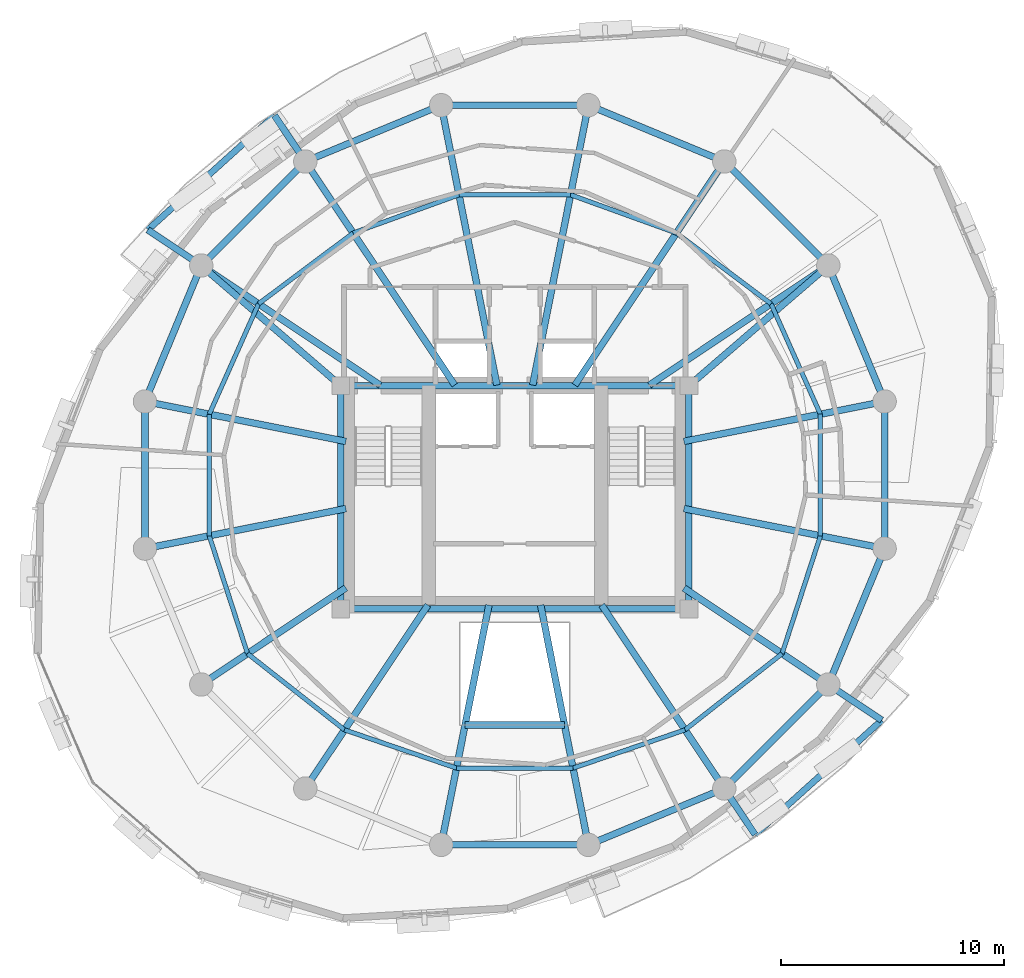
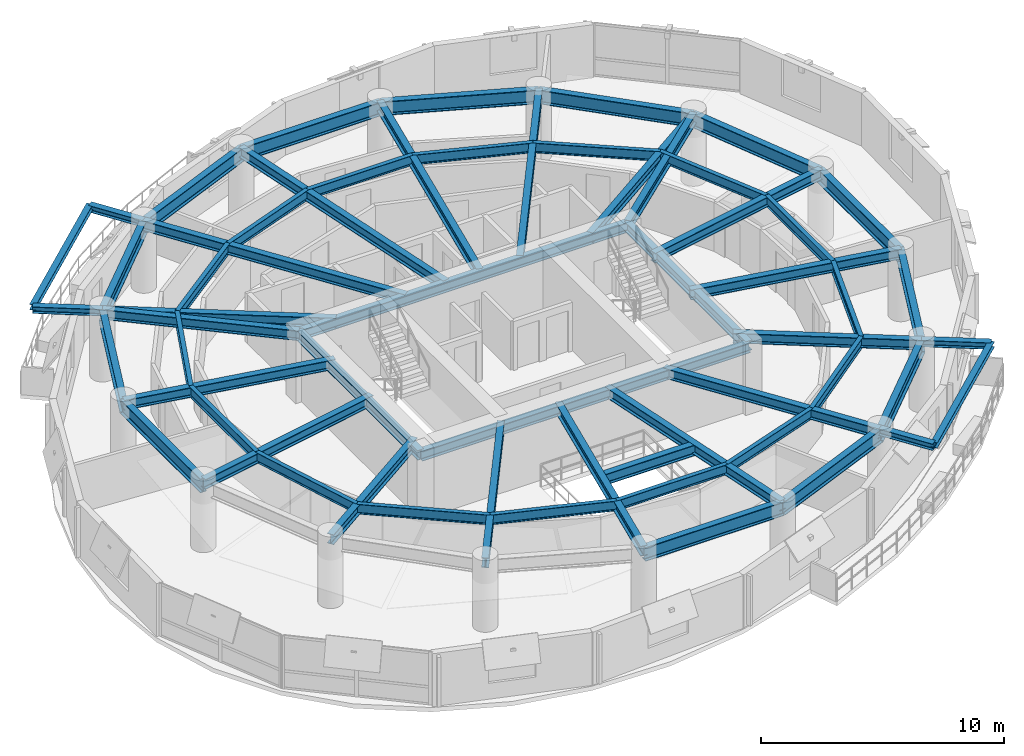
# One storey, part 5 of 12: 58 beams.
"""IFC4 building model written with IfcOpenShell, lengths in metres."""

from ifc_helpers import new_model, si_unit, direction, frame, origin, origin_2d, place, context, subcontext, project, spatial, i_section, extrude, material, material_profile, profile_set, type_object, element, save


model = new_model("IFC4")

# Units and contexts
model_context = context("Model", 3, precision=1e-05, world=origin(), true_north=direction((0.0, 1.0)))
body_context = subcontext(model_context, "Body", "Model", "MODEL_VIEW")
ifc_project = project(units=[si_unit("LENGTHUNIT", "METRE"), si_unit("AREAUNIT", "SQUARE_METRE"), si_unit("VOLUMEUNIT", "CUBIC_METRE"), si_unit("PLANEANGLEUNIT", "RADIAN"), si_unit("MASSUNIT", "GRAM", prefix="KILO"), si_unit("THERMODYNAMICTEMPERATUREUNIT", "KELVIN"), si_unit("POWERUNIT", "WATT")], contexts=[model_context])

# Site, building, storey
site_placement = place(None, origin())
site = spatial("IfcSite", under=ifc_project, at=site_placement, CompositionType="ELEMENT")
building_placement = place(site_placement, origin())
building = spatial("IfcBuilding", under=site, at=building_placement, Name="Ocrelia Relay Tower", CompositionType="ELEMENT")
storey_placement = place(building_placement, frame((0.0, 0.0, 184.39990234375)))
storey = spatial("IfcBuildingStorey", under=building, at=storey_placement, Name="L44", CompositionType="ELEMENT", Elevation=184.39990234375)

# Beams
ifc_material = material(Name="Steel S355", Category="steel")
ifc_material_profile_1 = material_profile(ifc_material, i_section(OverallWidth=0.280029296875, OverallDepth=0.27001953125, WebThickness=0.008056640625, FlangeThickness=0.012939453125, FilletRadius=0.02392578125, at=origin_2d()), Name="HEA 280")
ifc_profile_set_1 = profile_set([ifc_material_profile_1], Name="Steel S355")
beam_type_1 = type_object("IfcBeamType", Name="BM-HEA280", PredefinedType="BEAM", material=ifc_profile_set_1)
for number, where, z_axis, x_axis, name in (
    (1, (23.23291015625, 42.114013671875, 3.2451171875), (-0.742357109389, -0.670004419493, 0.0), (0.670004419493, -0.742357109389, 0.0), "L45 Balcony Edge Trimmer Beam B1"),
    (2, (44.76708984375, 9.885986328125, 3.2451171875), (0.742357109389, 0.670004419493, 0.0), (-0.670004419493, 0.742357109389, 0.0), "L45 Balcony Edge Trimmer Beam B2"),
):
    element("IfcBeam", number, at=place(storey_placement, frame(where, z_axis=z_axis, x_axis=x_axis)), inside=storey, type_object=beam_type_1, Name=name, PredefinedType="BEAM", context=body_context, shape_type="SweptSolid", body=[
        extrude(i_section(OverallWidth=0.280029296875, OverallDepth=0.27001953125, WebThickness=0.008056640625, FlangeThickness=0.012939453125, FilletRadius=0.02392578125, at=origin_2d()), origin(), (0.0, 0.0, 1.0), 7.649658203125),
    ])
ifc_material_profile_2 = material_profile(ifc_material, i_section(OverallWidth=0.300048828125, OverallDepth=0.330078125, WebThickness=0.009521484375, FlangeThickness=0.0166015625, FilletRadius=0.027099609375, at=origin_2d()), Name="HEA 340")
ifc_profile_set_2 = profile_set([ifc_material_profile_2], Name="Steel S355")
beam_type_2 = type_object("IfcBeamType", Name="BM-HEA340", PredefinedType="BEAM", material=ifc_profile_set_2)
beam_1_placement = place(storey_placement, frame((24.61083984375, 40.0517578125, 3.215087890625), z_axis=(-0.555563090664, 0.831474384628, 0.0), x_axis=(-0.831474384628, -0.555563090664, 0.0)))
element("IfcBeam", 3, at=beam_1_placement, inside=storey, type_object=beam_type_2, Name="L45 Balcony Cantilever Beam B1-1", PredefinedType="BEAM", context=body_context, shape_type="SweptSolid", body=[
    extrude(i_section(OverallWidth=0.300048828125, OverallDepth=0.330078125, WebThickness=0.009521484375, FlangeThickness=0.0166015625, FilletRadius=0.027099609375, at=origin_2d()), origin(), (0.0, 0.0, 1.0), 2.480224609375),
])
beam_2_placement = place(storey_placement, frame((19.9482421875, 35.38916015625, 3.215087890625), z_axis=(-0.831475868466, 0.555560869895, 0.0), x_axis=(-0.555560869895, -0.831475868466, 0.0)))
element("IfcBeam", 4, at=beam_2_placement, inside=storey, type_object=beam_type_2, Name="L45 Balcony Cantilever Beam B1-2", PredefinedType="BEAM", context=body_context, shape_type="SweptSolid", body=[
    extrude(i_section(OverallWidth=0.300048828125, OverallDepth=0.330078125, WebThickness=0.009521484375, FlangeThickness=0.0166015625, FilletRadius=0.027099609375, at=origin_2d()), origin(), (0.0, 0.0, 1.0), 2.879150390625),
])
beam_3_placement = place(storey_placement, frame((43.38916015625, 11.9482421875, 3.215087890625), z_axis=(0.555563090664, -0.831474384628, 0.0), x_axis=(0.831474384628, 0.555563090664, 0.0)))
element("IfcBeam", 5, at=beam_3_placement, inside=storey, type_object=beam_type_2, Name="L45 Balcony Cantilever Beam B2-1", PredefinedType="BEAM", context=body_context, shape_type="SweptSolid", body=[
    extrude(i_section(OverallWidth=0.300048828125, OverallDepth=0.330078125, WebThickness=0.009521484375, FlangeThickness=0.0166015625, FilletRadius=0.027099609375, at=origin_2d()), origin(), (0.0, 0.0, 1.0), 2.480224609375),
])
beam_4_placement = place(storey_placement, frame((48.0517578125, 16.61083984375, 3.215087890625), z_axis=(0.831475868466, -0.555560869895, 0.0), x_axis=(0.555560869895, 0.831475868466, 0.0)))
element("IfcBeam", 6, at=beam_4_placement, inside=storey, type_object=beam_type_2, Name="L45 Balcony Cantilever Beam B2-2", PredefinedType="BEAM", context=body_context, shape_type="SweptSolid", body=[
    extrude(i_section(OverallWidth=0.300048828125, OverallDepth=0.330078125, WebThickness=0.009521484375, FlangeThickness=0.0166015625, FilletRadius=0.027099609375, at=origin_2d()), origin(), (0.0, 0.0, 1.0), 2.879150390625),
])
ifc_material_profile_3 = material_profile(ifc_material, i_section(OverallWidth=0.300048828125, OverallDepth=0.5, WebThickness=0.014404296875, FlangeThickness=0.028076171875, FilletRadius=0.027099609375, at=origin_2d()), Name="HEB 500")
ifc_profile_set_3 = profile_set([ifc_material_profile_3], Name="Steel S355")
beam_type_3 = type_object("IfcBeamType", Name="BM-HEB500", PredefinedType="BEAM", material=ifc_profile_set_3)
for number, where, z_axis, x_axis, name in (
    (7, (26.199951171875, 20.0, 3.130126953125), (1.0, 0.0, 0.0), (0.0, 1.0, 0.0), "L44 Core Pilaster Tie Beam S"),
    (8, (26.199951171875, 30.0, 3.130126953125), (1.0, 0.0, 0.0), (0.0, 1.0, 0.0), "L44 Core Pilaster Tie Beam N"),
):
    element("IfcBeam", number, at=place(storey_placement, frame(where, z_axis=z_axis, x_axis=x_axis)), inside=storey, type_object=beam_type_3, Name=name, PredefinedType="BEAM", context=body_context, shape_type="SweptSolid", body=[
        extrude(i_section(OverallWidth=0.300048828125, OverallDepth=0.5, WebThickness=0.014404296875, FlangeThickness=0.028076171875, FilletRadius=0.027099609375, at=origin_2d()), origin(), (0.0, 0.0, 1.0), 15.60009765625),
    ])
for number, where, z_axis, x_axis, name in (
    (9, (26.199951171875, 20.0, 3.130126953125), (0.0, 1.0, 0.0), (-1.0, 0.0, 0.0), "L44 Core Pilaster Tie Beam W"),
    (10, (41.800048828125, 20.0, 3.130126953125), (0.0, 1.0, 0.0), (-1.0, 0.0, 0.0), "L44 Core Pilaster Tie Beam E"),
):
    element("IfcBeam", number, at=place(storey_placement, frame(where, z_axis=z_axis, x_axis=x_axis)), inside=storey, type_object=beam_type_3, Name=name, PredefinedType="BEAM", context=body_context, shape_type="SweptSolid", body=[
        extrude(i_section(OverallWidth=0.300048828125, OverallDepth=0.5, WebThickness=0.014404296875, FlangeThickness=0.028076171875, FilletRadius=0.027099609375, at=origin_2d()), origin(), (0.0, 0.0, 1.0), 10.0),
    ])
beam_5_placement = place(storey_placement, frame((50.5751953125, 29.297119140625, 3.130126953125), z_axis=(-0.980783891197, -0.1950973059, 0.0), x_axis=(0.1950973059, -0.980783891197, 0.0)))
element("IfcBeam", 11, at=beam_5_placement, inside=storey, type_object=beam_type_3, Name="L44 Radial Floor Girder R01", PredefinedType="BEAM", context=body_context, shape_type="SweptSolid", body=[
    extrude(i_section(OverallWidth=0.300048828125, OverallDepth=0.5, WebThickness=0.014404296875, FlangeThickness=0.028076171875, FilletRadius=0.027099609375, at=origin_2d()), origin(), (0.0, 0.0, 1.0), 9.17138671875),
])
beam_6_placement = place(storey_placement, frame((48.0517578125, 35.38916015625, 3.130126953125), z_axis=(-0.831469666235, -0.555570152305, 0.0), x_axis=(0.555570152305, -0.831469666235, 0.0)))
element("IfcBeam", 12, at=beam_6_placement, inside=storey, type_object=beam_type_3, Name="L44 Radial Floor Girder R02", PredefinedType="BEAM", context=body_context, shape_type="SweptSolid", body=[
    extrude(i_section(OverallWidth=0.300048828125, OverallDepth=0.5, WebThickness=0.014404296875, FlangeThickness=0.028076171875, FilletRadius=0.027099609375, at=origin_2d()), origin(), (0.0, 0.0, 1.0), 9.646240234375),
])
beam_7_placement = place(storey_placement, frame((48.0517578125, 35.38916015625, 3.130126953125), z_axis=(-0.757424589403, -0.652922653434, 0.0), x_axis=(0.652922653434, -0.757424589403, 0.0)))
element("IfcBeam", 13, at=beam_7_placement, inside=storey, type_object=beam_type_3, Name="L44 Core Pilaster Frame Tie Beam PT02", PredefinedType="BEAM", context=body_context, shape_type="SweptSolid", body=[
    extrude(i_section(OverallWidth=0.300048828125, OverallDepth=0.5, WebThickness=0.014404296875, FlangeThickness=0.028076171875, FilletRadius=0.027099609375, at=origin_2d()), origin(), (0.0, 0.0, 1.0), 8.25390625),
])
beam_8_placement = place(storey_placement, frame((43.38916015625, 40.0517578125, 3.130126953125), z_axis=(-0.55556932408, -0.831470219636, 0.0), x_axis=(0.831470219636, -0.55556932408, 0.0)))
element("IfcBeam", 14, at=beam_8_placement, inside=storey, type_object=beam_type_3, Name="L44 Radial Floor Girder R03", PredefinedType="BEAM", context=body_context, shape_type="SweptSolid", body=[
    extrude(i_section(OverallWidth=0.300048828125, OverallDepth=0.5, WebThickness=0.014404296875, FlangeThickness=0.028076171875, FilletRadius=0.027099609375, at=origin_2d()), origin(), (0.0, 0.0, 1.0), 12.052978515625),
])
for number, where, z_axis, x_axis, name in (
    (15, (37.297119140625, 42.5751953125, 3.130126953125), (-0.195106626135, -0.980782037171, 0.0), (0.980782037171, -0.195106626135, 0.0), "L44 Radial Floor Girder R04"),
    (16, (30.702880859375, 42.5751953125, 3.130126953125), (0.195106626135, -0.980782037171, 0.0), (0.980782037171, 0.195106626135, 0.0), "L44 Radial Floor Girder R05"),
):
    element("IfcBeam", number, at=place(storey_placement, frame(where, z_axis=z_axis, x_axis=x_axis)), inside=storey, type_object=beam_type_3, Name=name, PredefinedType="BEAM", context=body_context, shape_type="SweptSolid", body=[
        extrude(i_section(OverallWidth=0.300048828125, OverallDepth=0.5, WebThickness=0.014404296875, FlangeThickness=0.028076171875, FilletRadius=0.027099609375, at=origin_2d()), origin(), (0.0, 0.0, 1.0), 12.791015625),
    ])
beam_9_placement = place(storey_placement, frame((24.61083984375, 40.0517578125, 3.130126953125), z_axis=(0.55556932408, -0.831470219636, 0.0), x_axis=(0.831470219636, 0.55556932408, 0.0)))
element("IfcBeam", 17, at=beam_9_placement, inside=storey, type_object=beam_type_3, Name="L44 Radial Floor Girder R06", PredefinedType="BEAM", context=body_context, shape_type="SweptSolid", body=[
    extrude(i_section(OverallWidth=0.300048828125, OverallDepth=0.5, WebThickness=0.014404296875, FlangeThickness=0.028076171875, FilletRadius=0.027099609375, at=origin_2d()), origin(), (0.0, 0.0, 1.0), 12.052978515625),
])
beam_10_placement = place(storey_placement, frame((19.9482421875, 35.38916015625, 3.130126953125), z_axis=(0.831469666235, -0.555570152305, 0.0), x_axis=(0.555570152305, 0.831469666235, 0.0)))
element("IfcBeam", 18, at=beam_10_placement, inside=storey, type_object=beam_type_3, Name="L44 Radial Floor Girder R07", PredefinedType="BEAM", context=body_context, shape_type="SweptSolid", body=[
    extrude(i_section(OverallWidth=0.300048828125, OverallDepth=0.5, WebThickness=0.014404296875, FlangeThickness=0.028076171875, FilletRadius=0.027099609375, at=origin_2d()), origin(), (0.0, 0.0, 1.0), 9.646240234375),
])
beam_11_placement = place(storey_placement, frame((19.9482421875, 35.38916015625, 3.130126953125), z_axis=(0.757424589403, -0.652922653434, 0.0), x_axis=(0.652922653434, 0.757424589403, 0.0)))
element("IfcBeam", 19, at=beam_11_placement, inside=storey, type_object=beam_type_3, Name="L44 Core Pilaster Frame Tie Beam PT07", PredefinedType="BEAM", context=body_context, shape_type="SweptSolid", body=[
    extrude(i_section(OverallWidth=0.300048828125, OverallDepth=0.5, WebThickness=0.014404296875, FlangeThickness=0.028076171875, FilletRadius=0.027099609375, at=origin_2d()), origin(), (0.0, 0.0, 1.0), 8.25390625),
])
for number, where, z_axis, x_axis, name in (
    (20, (17.4248046875, 29.297119140625, 3.130126953125), (0.980784683446, -0.195093323097, 0.0), (0.195093323097, 0.980784683446, 0.0), "L44 Radial Floor Girder R08"),
    (21, (17.4248046875, 22.702880859375, 3.130126953125), (0.980784683446, 0.195093323097, 0.0), (-0.195093323097, 0.980784683446, 0.0), "L44 Radial Floor Girder R09"),
):
    element("IfcBeam", number, at=place(storey_placement, frame(where, z_axis=z_axis, x_axis=x_axis)), inside=storey, type_object=beam_type_3, Name=name, PredefinedType="BEAM", context=body_context, shape_type="SweptSolid", body=[
        extrude(i_section(OverallWidth=0.300048828125, OverallDepth=0.5, WebThickness=0.014404296875, FlangeThickness=0.028076171875, FilletRadius=0.027099609375, at=origin_2d()), origin(), (0.0, 0.0, 1.0), 9.181640625),
    ])
beam_12_placement = place(storey_placement, frame((19.9482421875, 16.61083984375, 3.130126953125), z_axis=(0.831462012084, 0.555581607382, 0.0), x_axis=(-0.555581607382, 0.831462012084, 0.0)))
element("IfcBeam", 22, at=beam_12_placement, inside=storey, type_object=beam_type_3, Name="L44 Radial Floor Girder R10", PredefinedType="BEAM", context=body_context, shape_type="SweptSolid", body=[
    extrude(i_section(OverallWidth=0.300048828125, OverallDepth=0.5, WebThickness=0.014404296875, FlangeThickness=0.028076171875, FilletRadius=0.027099609375, at=origin_2d()), origin(), (0.0, 0.0, 1.0), 7.795654296875),
])
beam_13_placement = place(storey_placement, frame((24.61083984375, 11.9482421875, 3.130126953125), z_axis=(0.555577337069, 0.831464865485, 0.0), x_axis=(-0.831464865485, 0.555577337069, 0.0)))
element("IfcBeam", 23, at=beam_13_placement, inside=storey, type_object=beam_type_3, Name="L44 Radial Floor Girder R11", PredefinedType="BEAM", context=body_context, shape_type="SweptSolid", body=[
    extrude(i_section(OverallWidth=0.300048828125, OverallDepth=0.5, WebThickness=0.014404296875, FlangeThickness=0.028076171875, FilletRadius=0.027099609375, at=origin_2d()), origin(), (0.0, 0.0, 1.0), 9.88818359375),
])
for number, where, z_axis, x_axis, name in (
    (24, (30.702880859375, 9.4248046875, 3.130126953125), (0.195100373206, 0.980783281044, 0.0), (-0.980783281044, 0.195100373206, 0.0), "L44 Radial Floor Girder R12"),
    (25, (37.297119140625, 9.4248046875, 3.130126953125), (-0.195100373206, 0.980783281044, 0.0), (-0.980783281044, -0.195100373206, 0.0), "L44 Radial Floor Girder R13"),
):
    element("IfcBeam", number, at=place(storey_placement, frame(where, z_axis=z_axis, x_axis=x_axis)), inside=storey, type_object=beam_type_3, Name=name, PredefinedType="BEAM", context=body_context, shape_type="SweptSolid", body=[
        extrude(i_section(OverallWidth=0.300048828125, OverallDepth=0.5, WebThickness=0.014404296875, FlangeThickness=0.028076171875, FilletRadius=0.027099609375, at=origin_2d()), origin(), (0.0, 0.0, 1.0), 10.95556640625),
    ])
beam_14_placement = place(storey_placement, frame((43.38916015625, 11.9482421875, 3.130126953125), z_axis=(-0.555577337069, 0.831464865485, 0.0), x_axis=(-0.831464865485, -0.555577337069, 0.0)))
element("IfcBeam", 26, at=beam_14_placement, inside=storey, type_object=beam_type_3, Name="L44 Radial Floor Girder R14", PredefinedType="BEAM", context=body_context, shape_type="SweptSolid", body=[
    extrude(i_section(OverallWidth=0.300048828125, OverallDepth=0.5, WebThickness=0.014404296875, FlangeThickness=0.028076171875, FilletRadius=0.027099609375, at=origin_2d()), origin(), (0.0, 0.0, 1.0), 9.88818359375),
])
beam_15_placement = place(storey_placement, frame((48.0517578125, 16.61083984375, 3.130126953125), z_axis=(-0.831456272244, 0.555590197309, 0.0), x_axis=(-0.555590197309, -0.831456272244, 0.0)))
element("IfcBeam", 27, at=beam_15_placement, inside=storey, type_object=beam_type_3, Name="L44 Radial Floor Girder R15", PredefinedType="BEAM", context=body_context, shape_type="SweptSolid", body=[
    extrude(i_section(OverallWidth=0.300048828125, OverallDepth=0.5, WebThickness=0.014404296875, FlangeThickness=0.028076171875, FilletRadius=0.027099609375, at=origin_2d()), origin(), (0.0, 0.0, 1.0), 7.783447265625),
])
beam_16_placement = place(storey_placement, frame((50.5751953125, 22.702880859375, 3.130126953125), z_axis=(-0.980783891197, 0.1950973059, 0.0), x_axis=(-0.1950973059, -0.980783891197, 0.0)))
element("IfcBeam", 28, at=beam_16_placement, inside=storey, type_object=beam_type_3, Name="L44 Radial Floor Girder R16", PredefinedType="BEAM", context=body_context, shape_type="SweptSolid", body=[
    extrude(i_section(OverallWidth=0.300048828125, OverallDepth=0.5, WebThickness=0.014404296875, FlangeThickness=0.028076171875, FilletRadius=0.027099609375, at=origin_2d()), origin(), (0.0, 0.0, 1.0), 9.17138671875),
])
ifc_material_profile_4 = material_profile(ifc_material, i_section(OverallWidth=0.300048828125, OverallDepth=0.550048828125, WebThickness=0.014892578125, FlangeThickness=0.029052734375, FilletRadius=0.027099609375, at=origin_2d()), Name="HEB 550")
ifc_profile_set_4 = profile_set([ifc_material_profile_4], Name="Steel S355")
beam_type_4 = type_object("IfcBeamType", Name="BM-HEB550", PredefinedType="BEAM", material=ifc_profile_set_4)
beam_17_placement = place(storey_placement, frame((31.772216796875, 14.800048828125, 3.10498046875), z_axis=(1.0, 0.0, 0.0), x_axis=(0.0, 1.0, 0.0)))
element("IfcBeam", 29, at=beam_17_placement, inside=storey, type_object=beam_type_4, Name="L44 Atrium South Trimmer Beam", PredefinedType="BEAM", context=body_context, shape_type="SweptSolid", body=[
    extrude(i_section(OverallWidth=0.300048828125, OverallDepth=0.550048828125, WebThickness=0.014892578125, FlangeThickness=0.029052734375, FilletRadius=0.027099609375, at=origin_2d()), origin(), (0.0, 0.0, 1.0), 4.45556640625),
])
ifc_material_profile_5 = material_profile(ifc_material, i_section(OverallWidth=0.300048828125, OverallDepth=0.699951171875, WebThickness=0.01708984375, FlangeThickness=0.031982421875, FilletRadius=0.027099609375, at=origin_2d()), Name="HEB 700")
ifc_profile_set_5 = profile_set([ifc_material_profile_5], Name="Steel S355")
beam_type_5 = type_object("IfcBeamType", Name="BM-HEB700", PredefinedType="BEAM", material=ifc_profile_set_5)
for number, where, z_axis, x_axis, name in (
    (30, (50.5751953125, 29.297119140625, 3.030029296875), (-0.382687508402, 0.923877844151, 0.0), (-0.923877844151, -0.382687508402, 0.0), "L44 Perimeter Spandrel Beam S01"),
    (31, (48.0517578125, 35.38916015625, 3.030029296875), (-0.707106781187, 0.707106781187, 0.0), (-0.707106781187, -0.707106781187, 0.0), "L44 Perimeter Spandrel Beam S02"),
    (32, (43.38916015625, 40.0517578125, 3.030029296875), (-0.923877844151, 0.382687508402, 0.0), (-0.382687508402, -0.923877844151, 0.0), "L44 Perimeter Spandrel Beam S03"),
):
    element("IfcBeam", number, at=place(storey_placement, frame(where, z_axis=z_axis, x_axis=x_axis)), inside=storey, type_object=beam_type_5, Name=name, PredefinedType="BEAM", context=body_context, shape_type="SweptSolid", body=[
        extrude(i_section(OverallWidth=0.300048828125, OverallDepth=0.699951171875, WebThickness=0.01708984375, FlangeThickness=0.031982421875, FilletRadius=0.027099609375, at=origin_2d()), origin(), (0.0, 0.0, 1.0), 6.593994140625),
    ])
beam_18_placement = place(storey_placement, frame((37.297119140625, 42.5751953125, 3.030029296875), z_axis=(-1.0, 0.0, 0.0), x_axis=(0.0, -1.0, 0.0)))
element("IfcBeam", 33, at=beam_18_placement, inside=storey, type_object=beam_type_5, Name="L44 Perimeter Spandrel Beam S04", PredefinedType="BEAM", context=body_context, shape_type="SweptSolid", body=[
    extrude(i_section(OverallWidth=0.300048828125, OverallDepth=0.699951171875, WebThickness=0.01708984375, FlangeThickness=0.031982421875, FilletRadius=0.027099609375, at=origin_2d()), origin(), (0.0, 0.0, 1.0), 6.59423828125),
])
for number, where, z_axis, x_axis, name in (
    (34, (30.702880859375, 42.5751953125, 3.030029296875), (-0.923877844151, -0.382687508402, 0.0), (0.382687508402, -0.923877844151, 0.0), "L44 Perimeter Spandrel Beam S05"),
    (35, (24.61083984375, 40.0517578125, 3.030029296875), (-0.707106781187, -0.707106781187, 0.0), (0.707106781187, -0.707106781187, 0.0), "L44 Perimeter Spandrel Beam S06"),
    (36, (19.9482421875, 35.38916015625, 3.030029296875), (-0.382687508402, -0.923877844151, 0.0), (0.923877844151, -0.382687508402, 0.0), "L44 Perimeter Spandrel Beam S07"),
):
    element("IfcBeam", number, at=place(storey_placement, frame(where, z_axis=z_axis, x_axis=x_axis)), inside=storey, type_object=beam_type_5, Name=name, PredefinedType="BEAM", context=body_context, shape_type="SweptSolid", body=[
        extrude(i_section(OverallWidth=0.300048828125, OverallDepth=0.699951171875, WebThickness=0.01708984375, FlangeThickness=0.031982421875, FilletRadius=0.027099609375, at=origin_2d()), origin(), (0.0, 0.0, 1.0), 6.593994140625),
    ])
for number, where, z_axis, x_axis, name in (
    (37, (17.4248046875, 29.297119140625, 3.030029296875), (0.0, -1.0, 0.0), (1.0, 0.0, 0.0), "L44 Perimeter Spandrel Beam S08"),
    (38, (30.702880859375, 9.4248046875, 3.030029296875), (1.0, 0.0, 0.0), (0.0, 1.0, 0.0), "L44 Perimeter Spandrel Beam S12"),
):
    element("IfcBeam", number, at=place(storey_placement, frame(where, z_axis=z_axis, x_axis=x_axis)), inside=storey, type_object=beam_type_5, Name=name, PredefinedType="BEAM", context=body_context, shape_type="SweptSolid", body=[
        extrude(i_section(OverallWidth=0.300048828125, OverallDepth=0.699951171875, WebThickness=0.01708984375, FlangeThickness=0.031982421875, FilletRadius=0.027099609375, at=origin_2d()), origin(), (0.0, 0.0, 1.0), 6.59423828125),
    ])
for number, where, z_axis, x_axis, name in (
    (39, (37.297119140625, 9.4248046875, 3.030029296875), (0.923877844151, 0.382687508402, 0.0), (-0.382687508402, 0.923877844151, 0.0), "L44 Perimeter Spandrel Beam S13"),
    (40, (43.38916015625, 11.9482421875, 3.030029296875), (0.707106781187, 0.707106781187, 0.0), (-0.707106781187, 0.707106781187, 0.0), "L44 Perimeter Spandrel Beam S14"),
    (41, (48.0517578125, 16.61083984375, 3.030029296875), (0.382687508402, 0.923877844151, 0.0), (-0.923877844151, 0.382687508402, 0.0), "L44 Perimeter Spandrel Beam S15"),
):
    element("IfcBeam", number, at=place(storey_placement, frame(where, z_axis=z_axis, x_axis=x_axis)), inside=storey, type_object=beam_type_5, Name=name, PredefinedType="BEAM", context=body_context, shape_type="SweptSolid", body=[
        extrude(i_section(OverallWidth=0.300048828125, OverallDepth=0.699951171875, WebThickness=0.01708984375, FlangeThickness=0.031982421875, FilletRadius=0.027099609375, at=origin_2d()), origin(), (0.0, 0.0, 1.0), 6.593994140625),
    ])
beam_19_placement = place(storey_placement, frame((50.5751953125, 22.702880859375, 3.030029296875), z_axis=(0.0, 1.0, 0.0), x_axis=(-1.0, 0.0, 0.0)))
element("IfcBeam", 42, at=beam_19_placement, inside=storey, type_object=beam_type_5, Name="L44 Perimeter Spandrel Beam S16", PredefinedType="BEAM", context=body_context, shape_type="SweptSolid", body=[
    extrude(i_section(OverallWidth=0.300048828125, OverallDepth=0.699951171875, WebThickness=0.01708984375, FlangeThickness=0.031982421875, FilletRadius=0.027099609375, at=origin_2d()), origin(), (0.0, 0.0, 1.0), 6.59423828125),
])
ifc_material_profile_6 = material_profile(ifc_material, i_section(OverallWidth=0.199951171875, OverallDepth=0.5, WebThickness=0.01025390625, FlangeThickness=0.01611328125, FilletRadius=0.02099609375, at=origin_2d()), Name="IPE 500")
ifc_profile_set_6 = profile_set([ifc_material_profile_6], Name="Steel S355")
beam_type_6 = type_object("IfcBeamType", Name="BM-IPE500", PredefinedType="JOIST", material=ifc_profile_set_6)
beam_20_placement = place(storey_placement, frame((47.69677734375, 28.724365234375, 3.130126953125), z_axis=(-0.407938464853, 0.913009424318, 0.0), x_axis=(-0.913009424318, -0.407938464853, 0.0)))
element("IfcBeam", 43, at=beam_20_placement, inside=storey, type_object=beam_type_6, Name="L44 Secondary Floor Joist J01", PredefinedType="JOIST", context=body_context, shape_type="SweptSolid", body=[
    extrude(i_section(OverallWidth=0.199951171875, OverallDepth=0.5, WebThickness=0.01025390625, FlangeThickness=0.01611328125, FilletRadius=0.02099609375, at=origin_2d()), origin(), (0.0, 0.0, 1.0), 5.421630859375),
])
beam_21_placement = place(storey_placement, frame((45.485107421875, 33.67431640625, 3.130126953125), z_axis=(-0.800785247359, 0.598951573678, 0.0), x_axis=(-0.598951573678, -0.800785247359, 0.0)))
element("IfcBeam", 44, at=beam_21_placement, inside=storey, type_object=beam_type_6, Name="L44 Secondary Floor Joist J02", PredefinedType="JOIST", context=body_context, shape_type="SweptSolid", body=[
    extrude(i_section(OverallWidth=0.199951171875, OverallDepth=0.5, WebThickness=0.01025390625, FlangeThickness=0.01611328125, FilletRadius=0.02099609375, at=origin_2d()), origin(), (0.0, 0.0, 1.0), 5.293212890625),
])
beam_22_placement = place(storey_placement, frame((41.246337890625, 36.8447265625, 3.130126953125), z_axis=(-0.940453871246, 0.339921338046, 0.0), x_axis=(-0.339921338046, -0.940453871246, 0.0)))
element("IfcBeam", 45, at=beam_22_placement, inside=storey, type_object=beam_type_6, Name="L44 Secondary Floor Joist J03", PredefinedType="JOIST", context=body_context, shape_type="SweptSolid", body=[
    extrude(i_section(OverallWidth=0.199951171875, OverallDepth=0.5, WebThickness=0.01025390625, FlangeThickness=0.01611328125, FilletRadius=0.02099609375, at=origin_2d()), origin(), (0.0, 0.0, 1.0), 5.04833984375),
])
beam_23_placement = place(storey_placement, frame((36.49853515625, 38.560791015625, 3.130126953125), z_axis=(-1.0, 0.0, 0.0), x_axis=(0.0, -1.0, 0.0)))
element("IfcBeam", 46, at=beam_23_placement, inside=storey, type_object=beam_type_6, Name="L44 Secondary Floor Joist J04", PredefinedType="JOIST", context=body_context, shape_type="SweptSolid", body=[
    extrude(i_section(OverallWidth=0.199951171875, OverallDepth=0.5, WebThickness=0.01025390625, FlangeThickness=0.01611328125, FilletRadius=0.02099609375, at=origin_2d()), origin(), (0.0, 0.0, 1.0), 4.9970703125),
])
beam_24_placement = place(storey_placement, frame((31.50146484375, 38.560791015625, 3.130126953125), z_axis=(-0.940453871246, -0.339921338046, 0.0), x_axis=(0.339921338046, -0.940453871246, 0.0)))
element("IfcBeam", 47, at=beam_24_placement, inside=storey, type_object=beam_type_6, Name="L44 Secondary Floor Joist J05", PredefinedType="JOIST", context=body_context, shape_type="SweptSolid", body=[
    extrude(i_section(OverallWidth=0.199951171875, OverallDepth=0.5, WebThickness=0.01025390625, FlangeThickness=0.01611328125, FilletRadius=0.02099609375, at=origin_2d()), origin(), (0.0, 0.0, 1.0), 5.04833984375),
])
beam_25_placement = place(storey_placement, frame((26.753662109375, 36.8447265625, 3.130126953125), z_axis=(-0.800785247359, -0.598951573678, 0.0), x_axis=(0.598951573678, -0.800785247359, 0.0)))
element("IfcBeam", 48, at=beam_25_placement, inside=storey, type_object=beam_type_6, Name="L44 Secondary Floor Joist J06", PredefinedType="JOIST", context=body_context, shape_type="SweptSolid", body=[
    extrude(i_section(OverallWidth=0.199951171875, OverallDepth=0.5, WebThickness=0.01025390625, FlangeThickness=0.01611328125, FilletRadius=0.02099609375, at=origin_2d()), origin(), (0.0, 0.0, 1.0), 5.293212890625),
])
beam_26_placement = place(storey_placement, frame((22.514892578125, 33.67431640625, 3.130126953125), z_axis=(-0.407416785709, -0.913242335157, 0.0), x_axis=(0.913242335157, -0.407416785709, 0.0)))
element("IfcBeam", 49, at=beam_26_placement, inside=storey, type_object=beam_type_6, Name="L44 Secondary Floor Joist J07", PredefinedType="JOIST", context=body_context, shape_type="SweptSolid", body=[
    extrude(i_section(OverallWidth=0.199951171875, OverallDepth=0.5, WebThickness=0.01025390625, FlangeThickness=0.01611328125, FilletRadius=0.02099609375, at=origin_2d()), origin(), (0.0, 0.0, 1.0), 5.420654296875),
])
beam_27_placement = place(storey_placement, frame((20.306396484375, 28.723876953125, 3.130126953125), z_axis=(0.0, -1.0, 0.0), x_axis=(1.0, 0.0, 0.0)))
element("IfcBeam", 50, at=beam_27_placement, inside=storey, type_object=beam_type_6, Name="L44 Secondary Floor Joist J08", PredefinedType="JOIST", context=body_context, shape_type="SweptSolid", body=[
    extrude(i_section(OverallWidth=0.199951171875, OverallDepth=0.5, WebThickness=0.01025390625, FlangeThickness=0.01611328125, FilletRadius=0.02099609375, at=origin_2d()), origin(), (0.0, 0.0, 1.0), 5.44775390625),
])
beam_28_placement = place(storey_placement, frame((20.306396484375, 23.276123046875, 3.130126953125), z_axis=(0.309133805786, -0.951018554036, 0.0), x_axis=(0.951018554036, 0.309133805786, 0.0)))
element("IfcBeam", 51, at=beam_28_placement, inside=storey, type_object=beam_type_6, Name="L44 Secondary Floor Joist J09", PredefinedType="JOIST", context=body_context, shape_type="SweptSolid", body=[
    extrude(i_section(OverallWidth=0.199951171875, OverallDepth=0.5, WebThickness=0.01025390625, FlangeThickness=0.01611328125, FilletRadius=0.02099609375, at=origin_2d()), origin(), (0.0, 0.0, 1.0), 5.55126953125),
])
beam_29_placement = place(storey_placement, frame((22.0224609375, 17.996826171875, 3.130126953125), z_axis=(0.786083859045, -0.618119864224, 0.0), x_axis=(0.618119864224, 0.786083859045, 0.0)))
element("IfcBeam", 52, at=beam_29_placement, inside=storey, type_object=beam_type_6, Name="L44 Secondary Floor Joist J10", PredefinedType="JOIST", context=body_context, shape_type="SweptSolid", body=[
    extrude(i_section(OverallWidth=0.199951171875, OverallDepth=0.5, WebThickness=0.01025390625, FlangeThickness=0.01611328125, FilletRadius=0.02099609375, at=origin_2d()), origin(), (0.0, 0.0, 1.0), 5.529296875),
])
beam_30_placement = place(storey_placement, frame((26.368896484375, 14.5791015625, 3.130126953125), z_axis=(0.946215174492, -0.323538009454, 0.0), x_axis=(0.323538009454, 0.946215174492, 0.0)))
element("IfcBeam", 53, at=beam_30_placement, inside=storey, type_object=beam_type_6, Name="L44 Secondary Floor Joist J11", PredefinedType="JOIST", context=body_context, shape_type="SweptSolid", body=[
    extrude(i_section(OverallWidth=0.199951171875, OverallDepth=0.5, WebThickness=0.01025390625, FlangeThickness=0.01611328125, FilletRadius=0.02099609375, at=origin_2d()), origin(), (0.0, 0.0, 1.0), 5.30322265625),
])
beam_31_placement = place(storey_placement, frame((31.386962890625, 12.86328125, 3.130126953125), z_axis=(1.0, 0.0, 0.0), x_axis=(0.0, 1.0, 0.0)))
element("IfcBeam", 54, at=beam_31_placement, inside=storey, type_object=beam_type_6, Name="L44 Secondary Floor Joist J12", PredefinedType="JOIST", context=body_context, shape_type="SweptSolid", body=[
    extrude(i_section(OverallWidth=0.199951171875, OverallDepth=0.5, WebThickness=0.01025390625, FlangeThickness=0.01611328125, FilletRadius=0.02099609375, at=origin_2d()), origin(), (0.0, 0.0, 1.0), 5.22607421875),
])
beam_32_placement = place(storey_placement, frame((36.613037109375, 12.86328125, 3.130126953125), z_axis=(0.946215174492, 0.323538009454, 0.0), x_axis=(-0.323538009454, 0.946215174492, 0.0)))
element("IfcBeam", 55, at=beam_32_placement, inside=storey, type_object=beam_type_6, Name="L44 Secondary Floor Joist J13", PredefinedType="JOIST", context=body_context, shape_type="SweptSolid", body=[
    extrude(i_section(OverallWidth=0.199951171875, OverallDepth=0.5, WebThickness=0.01025390625, FlangeThickness=0.01611328125, FilletRadius=0.02099609375, at=origin_2d()), origin(), (0.0, 0.0, 1.0), 5.30322265625),
])
beam_33_placement = place(storey_placement, frame((41.631103515625, 14.5791015625, 3.130126953125), z_axis=(0.78649600233, 0.617595367793, 0.0), x_axis=(-0.617595367793, 0.78649600233, 0.0)))
element("IfcBeam", 56, at=beam_33_placement, inside=storey, type_object=beam_type_6, Name="L44 Secondary Floor Joist J14", PredefinedType="JOIST", context=body_context, shape_type="SweptSolid", body=[
    extrude(i_section(OverallWidth=0.199951171875, OverallDepth=0.5, WebThickness=0.01025390625, FlangeThickness=0.01611328125, FilletRadius=0.02099609375, at=origin_2d()), origin(), (0.0, 0.0, 1.0), 5.5302734375),
])
beam_34_placement = place(storey_placement, frame((45.980712890625, 17.99462890625, 3.130126953125), z_axis=(0.309043322978, 0.95104796121, 0.0), x_axis=(-0.95104796121, 0.309043322978, 0.0)))
element("IfcBeam", 57, at=beam_34_placement, inside=storey, type_object=beam_type_6, Name="L44 Secondary Floor Joist J15", PredefinedType="JOIST", context=body_context, shape_type="SweptSolid", body=[
    extrude(i_section(OverallWidth=0.199951171875, OverallDepth=0.5, WebThickness=0.01025390625, FlangeThickness=0.01611328125, FilletRadius=0.02099609375, at=origin_2d()), origin(), (0.0, 0.0, 1.0), 5.552734375),
])
beam_35_placement = place(storey_placement, frame((47.69677734375, 23.275634765625, 3.130126953125), z_axis=(0.0, 1.0, 0.0), x_axis=(-1.0, 0.0, 0.0)))
element("IfcBeam", 58, at=beam_35_placement, inside=storey, type_object=beam_type_6, Name="L44 Secondary Floor Joist J16", PredefinedType="JOIST", context=body_context, shape_type="SweptSolid", body=[
    extrude(i_section(OverallWidth=0.199951171875, OverallDepth=0.5, WebThickness=0.01025390625, FlangeThickness=0.01611328125, FilletRadius=0.02099609375, at=origin_2d()), origin(), (0.0, 0.0, 1.0), 5.44873046875),
])

save(model, "model.ifc")
